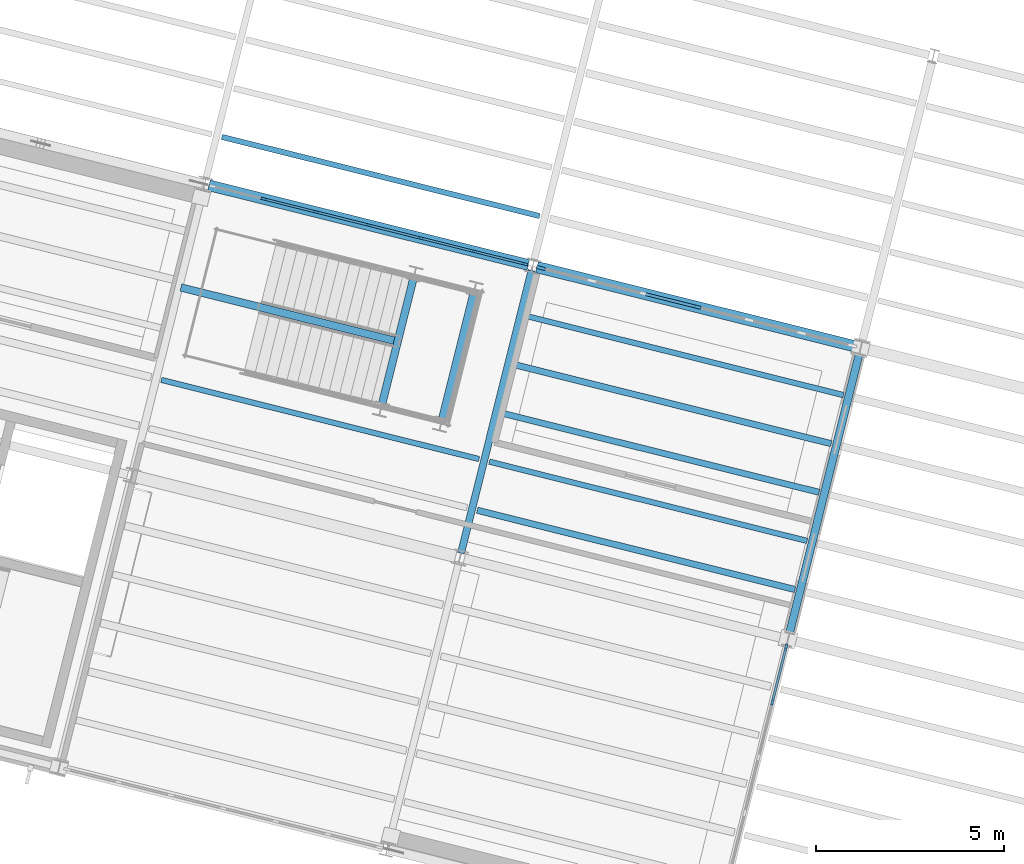
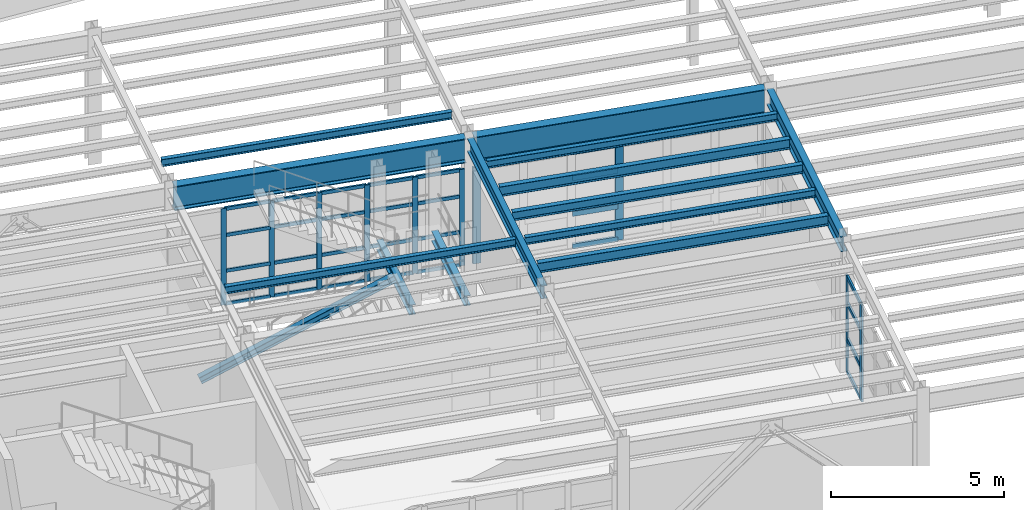
# One storey, part 34 of 109: 39 members, 13 beams, 3 elements without a shape of their own.
"""IFC4 building model written with IfcOpenShell, lengths in metres."""

from ifc_helpers import new_model, si_unit, direction, frame, origin, origin_2d, place, context, subcontext, project, spatial, rectangle, i_section, extrude, material, layer, layer_set, material_profile, profile_set, type_object, element, aggregate, save


model = new_model("IFC4")

# Units and contexts
model_context = context("Model", 3, precision=1e-05, world=origin(), true_north=direction((0.0, 1.0)))
body_context = subcontext(model_context, "Body", "Model", "MODEL_VIEW")
ifc_project = project(units=[si_unit("LENGTHUNIT", "METRE"), si_unit("AREAUNIT", "SQUARE_METRE"), si_unit("VOLUMEUNIT", "CUBIC_METRE"), si_unit("PLANEANGLEUNIT", "RADIAN"), si_unit("MASSUNIT", "GRAM", prefix="KILO")], contexts=[model_context])

# Site, building, storey
site_placement = place(None, origin())
site = spatial("IfcSite", under=ifc_project, at=site_placement, CompositionType="ELEMENT")
building_placement = place(site_placement, origin())
building = spatial("IfcBuilding", under=site, at=building_placement, Name="Vireo Bluff Cable Station", CompositionType="ELEMENT")
storey_placement = place(building_placement, frame((0.0, 0.0, 4.800048828125)))
storey = spatial("IfcBuildingStorey", under=building, at=storey_placement, Name="L01", CompositionType="ELEMENT", Elevation=4.800048828125)

# Beams
ifc_material_1 = material(Name="Steel ASTM A992 Gr. 50", Category="steel")
ifc_material_profile_1 = material_profile(ifc_material_1, i_section(OverallWidth=0.2041015625, OverallDepth=0.35009765625, WebThickness=0.008544921875, FlangeThickness=0.01513671875, FilletRadius=0.010009765625, at=origin_2d()), Name="W14X48")
ifc_profile_set_1 = profile_set([ifc_material_profile_1], Name="Steel ASTM A992 Gr. 50")
beam_type_1 = type_object("IfcBeamType", Name="BM-W14X48", PredefinedType="BEAM", material=ifc_profile_set_1)
for number, where, z_axis, x_axis, name in (
    (1, (71.326904296875, 45.49072265625, 2.02490234375), (0.24193442655, 0.970292601873, 0.0), (-0.970292601873, 0.24193442655, 0.0), "ST-10 L01 landing header beam N"),
    (2, (72.927734375, 45.091552734375, 2.02490234375), (0.24193442655, 0.970292601873, 0.0), (-0.970292601873, 0.24193442655, 0.0), "ST-10 L01 landing header beam F"),
):
    element("IfcBeam", number, at=place(storey_placement, frame(where, z_axis=z_axis, x_axis=x_axis)), inside=storey, type_object=beam_type_1, Name=name, PredefinedType="BEAM", context=body_context, shape_type="SweptSolid", body=[
        extrude(i_section(OverallWidth=0.2041015625, OverallDepth=0.35009765625, WebThickness=0.008544921875, FlangeThickness=0.01513671875, FilletRadius=0.010009765625, at=origin_2d()), origin(), (0.0, 0.0, 1.0), 3.440185546875),
    ])
ifc_material_profile_2 = material_profile(ifc_material_1, i_section(OverallWidth=0.19091796875, OverallDepth=0.45703125, WebThickness=0.009033203125, FlangeThickness=0.014404296875, FilletRadius=0.011962890625, at=origin_2d()), Name="W18X50")
ifc_profile_set_2 = profile_set([ifc_material_profile_2], Name="Steel ASTM A992 Gr. 50")
beam_type_2 = type_object("IfcBeamType", Name="BM-W18X50", PredefinedType="BEAM", material=ifc_profile_set_2)
beam_1_placement = place(storey_placement, frame((73.4296875, 41.524169921875, 4.3115234375), z_axis=(0.241935966891, 0.970292217801, 0.0), x_axis=(-0.970292217801, 0.241935966891, 0.0)))
element("IfcBeam", 3, at=beam_1_placement, inside=storey, type_object=beam_type_2, Name="V1 L01 beam 67", PredefinedType="BEAM", context=body_context, shape_type="SweptSolid", body=[
    extrude(i_section(OverallWidth=0.19091796875, OverallDepth=0.45703125, WebThickness=0.009033203125, FlangeThickness=0.014404296875, FilletRadius=0.011962890625, at=origin_2d()), origin(), (0.0, 0.0, 1.0), 7.760009765625),
])
ifc_material_profile_3 = material_profile(ifc_material_1, i_section(OverallWidth=0.2099609375, OverallDepth=0.535888671875, WebThickness=0.010986328125, FlangeThickness=0.017333984375, FilletRadius=0.012939453125, at=origin_2d()), Name="W21X68")
ifc_profile_set_3 = profile_set([ifc_material_profile_3], Name="Steel ASTM A992 Gr. 50")
beam_type_3 = type_object("IfcBeamType", Name="BM-W21X68", PredefinedType="BEAM", material=ifc_profile_set_3)
beam_2_placement = place(storey_placement, frame((82.162353515625, 39.346923828125, 4.27197265625), z_axis=(0.241935966891, 0.970292217801, 0.0), x_axis=(-0.970292217801, 0.241935966891, 0.0)))
element("IfcBeam", 4, at=beam_2_placement, inside=storey, type_object=beam_type_3, Name="V1 L01 beam 70", PredefinedType="BEAM", context=body_context, shape_type="SweptSolid", body=[
    extrude(i_section(OverallWidth=0.2099609375, OverallDepth=0.535888671875, WebThickness=0.010986328125, FlangeThickness=0.017333984375, FilletRadius=0.012939453125, at=origin_2d()), origin(), (0.0, 0.0, 1.0), 7.760009765625),
])

# Curtain wall, members
ifc_material_2 = material(Name="Anodized Aluminium 6063-T6", Category="aluminium")
ifc_layer_1 = layer(ifc_material_2, 0.179931640625, Name="Anodized Aluminium 6063-T6")
ifc_layer_set_1 = layer_set([ifc_layer_1], Name="Anodized Aluminium 6063-T6")
curtain_wall_type_1 = type_object("IfcCurtainWallType", Name="CW-UNIT-1650", PredefinedType="USERDEFINED", material=ifc_layer_set_1)
curtain_wall_1_placement = place(storey_placement, origin())
curtain_wall_1 = element("IfcCurtainWall", 5, at=curtain_wall_1_placement, inside=storey, type_object=curtain_wall_type_1, Name="V1 L01 east curtain wall CW-008", ObjectType="UNITISED CURTAIN WALL", PredefinedType="USERDEFINED")
ifc_material_profile_4 = material_profile(ifc_material_2, rectangle(XDim=0.06494140625, YDim=0.179931640625, at=origin_2d()), Name="ALU-M-65X180")
ifc_profile_set_4 = profile_set([ifc_material_profile_4], Name="Anodized Aluminium 6063-T6")
member_type_1 = type_object("IfcMemberType", Name="CWM-01", PredefinedType="MULLION", material=ifc_profile_set_4)
member_1_placement = place(storey_placement, frame((82.0810546875, 39.02099609375, 0.0), z_axis=(0.0, 0.0, 1.0), x_axis=(0.970295711882, -0.241921953331, 0.0)))
member_1 = element("IfcMember", 6, at=member_1_placement, type_object=member_type_1, Name="CW-008 mullion 1", PredefinedType="MULLION", context=body_context, shape_type="SweptSolid", body=[
    extrude(rectangle(XDim=0.06494140625, YDim=0.179931640625, at=origin_2d()), origin(), (0.0, 0.0, 1.0), 3.39990234375),
])
member_2_placement = place(storey_placement, frame((81.719482421875, 37.57080078125, 0.0), z_axis=(0.0, 0.0, 1.0), x_axis=(0.970295711882, -0.241921953331, 0.0)))
member_2 = element("IfcMember", 7, at=member_2_placement, type_object=member_type_1, Name="CW-008 mullion 2", PredefinedType="MULLION", context=body_context, shape_type="SweptSolid", body=[
    extrude(rectangle(XDim=0.06494140625, YDim=0.179931640625, at=origin_2d()), origin(), (0.0, 0.0, 1.0), 3.39990234375),
])

ifc_layer_2 = layer(ifc_material_2, 0.179931640625, Name="Anodized Aluminium 6063-T6")
ifc_layer_set_2 = layer_set([ifc_layer_2], Name="Anodized Aluminium 6063-T6")
curtain_wall_type_2 = type_object("IfcCurtainWallType", Name="CW-UNIT-1400", PredefinedType="USERDEFINED", material=ifc_layer_set_2)
curtain_wall_2_placement = place(storey_placement, origin())
curtain_wall_2 = element("IfcCurtainWall", 8, at=curtain_wall_2_placement, inside=storey, type_object=curtain_wall_type_2, Name="V1 L01 north curtain wall CW-006", ObjectType="UNITISED CURTAIN WALL", PredefinedType="USERDEFINED")
ifc_material_profile_5 = material_profile(ifc_material_2, rectangle(XDim=0.06005859375, YDim=0.159912109375, at=origin_2d()), Name="ALU-M-60X160")
ifc_profile_set_5 = profile_set([ifc_material_profile_5], Name="Anodized Aluminium 6063-T6")
member_type_2 = type_object("IfcMemberType", Name="CWM-03", PredefinedType="MULLION", material=ifc_profile_set_5)
member_3_placement = place(storey_placement, frame((68.179931640625, 50.954345703125, 0.0), z_axis=(0.0, 0.0, 1.0), x_axis=(0.241921864202, 0.970295734104, 0.0)))
member_3 = element("IfcMember", 9, at=member_3_placement, type_object=member_type_2, Name="CW-006 mullion 2", PredefinedType="MULLION", context=body_context, shape_type="SweptSolid", body=[
    extrude(rectangle(XDim=0.06005859375, YDim=0.159912109375, at=origin_2d()), origin(), (0.0, 0.0, 1.0), 3.39990234375),
])
member_4_placement = place(storey_placement, frame((69.57470703125, 50.606689453125, 0.0), z_axis=(0.0, 0.0, 1.0), x_axis=(0.241921864202, 0.970295734104, 0.0)))
member_4 = element("IfcMember", 10, at=member_4_placement, type_object=member_type_2, Name="CW-006 mullion 3", PredefinedType="MULLION", context=body_context, shape_type="SweptSolid", body=[
    extrude(rectangle(XDim=0.06005859375, YDim=0.159912109375, at=origin_2d()), origin(), (0.0, 0.0, 1.0), 3.39990234375),
])
member_5_placement = place(storey_placement, frame((70.9697265625, 50.2587890625, 0.0), z_axis=(0.0, 0.0, 1.0), x_axis=(0.241921864202, 0.970295734104, 0.0)))
member_5 = element("IfcMember", 11, at=member_5_placement, type_object=member_type_2, Name="CW-006 mullion 4", PredefinedType="MULLION", context=body_context, shape_type="SweptSolid", body=[
    extrude(rectangle(XDim=0.06005859375, YDim=0.159912109375, at=origin_2d()), origin(), (0.0, 0.0, 1.0), 3.39990234375),
])
member_6_placement = place(storey_placement, frame((72.36474609375, 49.910888671875, 0.0), z_axis=(0.0, 0.0, 1.0), x_axis=(0.241921864202, 0.970295734104, 0.0)))
member_6 = element("IfcMember", 12, at=member_6_placement, type_object=member_type_2, Name="CW-006 mullion 5", PredefinedType="MULLION", context=body_context, shape_type="SweptSolid", body=[
    extrude(rectangle(XDim=0.06005859375, YDim=0.159912109375, at=origin_2d()), origin(), (0.0, 0.0, 1.0), 3.39990234375),
])
member_7_placement = place(storey_placement, frame((73.759765625, 49.563232421875, 0.0), z_axis=(0.0, 0.0, 1.0), x_axis=(0.241921864202, 0.970295734104, 0.0)))
member_7 = element("IfcMember", 13, at=member_7_placement, type_object=member_type_2, Name="CW-006 mullion 6", PredefinedType="MULLION", context=body_context, shape_type="SweptSolid", body=[
    extrude(rectangle(XDim=0.06005859375, YDim=0.159912109375, at=origin_2d()), origin(), (0.0, 0.0, 1.0), 3.39990234375),
])
member_8_placement = place(storey_placement, frame((75.12548828125, 49.22265625, 0.0), z_axis=(0.0, 0.0, 1.0), x_axis=(0.241921864202, 0.970295734104, 0.0)))
member_8 = element("IfcMember", 14, at=member_8_placement, type_object=member_type_2, Name="CW-006 mullion 7", PredefinedType="MULLION", context=body_context, shape_type="SweptSolid", body=[
    extrude(rectangle(XDim=0.06005859375, YDim=0.159912109375, at=origin_2d()), origin(), (0.0, 0.0, 1.0), 3.39990234375),
])

ifc_layer_3 = layer(ifc_material_2, 0.179931640625, Name="Anodized Aluminium 6063-T6")
ifc_layer_set_3 = layer_set([ifc_layer_3], Name="Anodized Aluminium 6063-T6")
curtain_wall_type_3 = type_object("IfcCurtainWallType", Name="CW-UNIT-1500", PredefinedType="USERDEFINED", material=ifc_layer_set_3)
curtain_wall_3_placement = place(storey_placement, origin())
curtain_wall_3 = element("IfcCurtainWall", 15, at=curtain_wall_3_placement, inside=storey, type_object=curtain_wall_type_3, Name="V1 L01 north curtain wall CW-007", ObjectType="UNITISED CURTAIN WALL", PredefinedType="USERDEFINED")
ifc_material_profile_6 = material_profile(ifc_material_2, rectangle(XDim=0.080078125, YDim=0.239990234375, at=origin_2d()), Name="ALU-M-80X240")
ifc_profile_set_6 = profile_set([ifc_material_profile_6], Name="Anodized Aluminium 6063-T6")
member_type_3 = type_object("IfcMemberType", Name="CWM-04", PredefinedType="MULLION", material=ifc_profile_set_6)
member_9_placement = place(storey_placement, frame((75.556396484375, 49.115234375, 0.0), z_axis=(0.0, 0.0, 1.0), x_axis=(0.241921864202, 0.970295734104, 0.0)))
member_9 = element("IfcMember", 16, at=member_9_placement, type_object=member_type_3, Name="CW-007 mullion 1", PredefinedType="MULLION", context=body_context, shape_type="SweptSolid", body=[
    extrude(rectangle(XDim=0.080078125, YDim=0.239990234375, at=origin_2d()), origin(), (0.0, 0.0, 1.0), 3.39990234375),
])
member_10_placement = place(storey_placement, frame((79.702392578125, 48.08154296875, 0.0), z_axis=(0.0, 0.0, 1.0), x_axis=(0.241921864202, 0.970295734104, 0.0)))
member_10 = element("IfcMember", 17, at=member_10_placement, type_object=member_type_3, Name="CW-007 mullion 4", PredefinedType="MULLION", context=body_context, shape_type="SweptSolid", body=[
    extrude(rectangle(XDim=0.080078125, YDim=0.239990234375, at=origin_2d()), origin(), (0.0, 0.0, 1.0), 3.39990234375),
])

# Member
ifc_material_profile_7 = material_profile(ifc_material_2, rectangle(XDim=0.06494140625, YDim=0.139892578125, at=origin_2d()), Name="ALU-T-65X140")
ifc_profile_set_7 = profile_set([ifc_material_profile_7], Name="Anodized Aluminium 6063-T6")
member_type_4 = type_object("IfcMemberType", Name="CWT-01", PredefinedType="USERDEFINED", material=ifc_profile_set_7)
member_11_placement = place(storey_placement, frame((82.0732421875, 38.9892578125, 0.032470703125), z_axis=(-0.241852366121, -0.970313059276, 0.0), x_axis=(0.970313059276, -0.241852366121, 0.0)))
member_11 = element("IfcMember", 18, at=member_11_placement, type_object=member_type_4, Name="CW-008 transom 1.1", ObjectType="TRANSOM", PredefinedType="USERDEFINED", context=body_context, shape_type="SweptSolid", body=[
    extrude(rectangle(XDim=0.06494140625, YDim=0.139892578125, at=origin_2d()), origin(), (0.0, 0.0, 1.0), 1.429443359375),
])

member_12_placement = place(storey_placement, frame((82.0732421875, 38.9892578125, 1.18994140625), z_axis=(-0.241852366121, -0.970313059276, 0.0), x_axis=(0.970313059276, -0.241852366121, 0.0)))
member_12 = element("IfcMember", 19, at=member_12_placement, type_object=member_type_4, Name="CW-008 transom 1.2", ObjectType="TRANSOM", PredefinedType="USERDEFINED", context=body_context, shape_type="SweptSolid", body=[
    extrude(rectangle(XDim=0.06494140625, YDim=0.139892578125, at=origin_2d()), origin(), (0.0, 0.0, 1.0), 1.429443359375),
])

member_13_placement = place(storey_placement, frame((82.0732421875, 38.9892578125, 2.447998046875), z_axis=(-0.241852366121, -0.970313059276, 0.0), x_axis=(0.970313059276, -0.241852366121, 0.0)))
member_13 = element("IfcMember", 20, at=member_13_placement, type_object=member_type_4, Name="CW-008 transom 1.3", ObjectType="TRANSOM", PredefinedType="USERDEFINED", context=body_context, shape_type="SweptSolid", body=[
    extrude(rectangle(XDim=0.06494140625, YDim=0.139892578125, at=origin_2d()), origin(), (0.0, 0.0, 1.0), 1.429443359375),
])

member_14_placement = place(storey_placement, frame((82.0732421875, 38.9892578125, 3.367431640625), z_axis=(-0.241852366121, -0.970313059276, 0.0), x_axis=(0.970313059276, -0.241852366121, 0.0)))
member_14 = element("IfcMember", 21, at=member_14_placement, type_object=member_type_4, Name="CW-008 transom 1.4", ObjectType="TRANSOM", PredefinedType="USERDEFINED", context=body_context, shape_type="SweptSolid", body=[
    extrude(rectangle(XDim=0.06494140625, YDim=0.139892578125, at=origin_2d()), origin(), (0.0, 0.0, 1.0), 1.429443359375),
])

aggregate(curtain_wall_1, [member_1, member_2, member_11, member_12, member_13, member_14])

ifc_material_profile_8 = material_profile(ifc_material_2, rectangle(XDim=0.06005859375, YDim=0.1201171875, at=origin_2d()), Name="ALU-T-60X120")
ifc_profile_set_8 = profile_set([ifc_material_profile_8], Name="Anodized Aluminium 6063-T6")
member_type_5 = type_object("IfcMemberType", Name="CWT-03", PredefinedType="USERDEFINED", material=ifc_profile_set_8)
member_15_placement = place(storey_placement, frame((68.208984375, 50.947021484375, 0.030029296875), z_axis=(0.970298672181, -0.241910079914, 0.0), x_axis=(0.241910079914, 0.970298672181, 0.0)))
member_15 = element("IfcMember", 22, at=member_15_placement, type_object=member_type_5, Name="CW-006 transom 2.1", ObjectType="TRANSOM", PredefinedType="USERDEFINED", context=body_context, shape_type="SweptSolid", body=[
    extrude(rectangle(XDim=0.06005859375, YDim=0.1201171875, at=origin_2d()), origin(), (0.0, 0.0, 1.0), 1.377685546875),
])

member_16_placement = place(storey_placement, frame((68.208984375, 50.947021484375, 1.18994140625), z_axis=(0.970298672181, -0.241910079914, 0.0), x_axis=(0.241910079914, 0.970298672181, 0.0)))
member_16 = element("IfcMember", 23, at=member_16_placement, type_object=member_type_5, Name="CW-006 transom 2.2", ObjectType="TRANSOM", PredefinedType="USERDEFINED", context=body_context, shape_type="SweptSolid", body=[
    extrude(rectangle(XDim=0.06005859375, YDim=0.1201171875, at=origin_2d()), origin(), (0.0, 0.0, 1.0), 1.377685546875),
])

member_17_placement = place(storey_placement, frame((68.208984375, 50.947021484375, 2.447998046875), z_axis=(0.970298672181, -0.241910079914, 0.0), x_axis=(0.241910079914, 0.970298672181, 0.0)))
member_17 = element("IfcMember", 24, at=member_17_placement, type_object=member_type_5, Name="CW-006 transom 2.3", ObjectType="TRANSOM", PredefinedType="USERDEFINED", context=body_context, shape_type="SweptSolid", body=[
    extrude(rectangle(XDim=0.06005859375, YDim=0.1201171875, at=origin_2d()), origin(), (0.0, 0.0, 1.0), 1.377685546875),
])

member_18_placement = place(storey_placement, frame((68.208984375, 50.947021484375, 3.369873046875), z_axis=(0.970298672181, -0.241910079914, 0.0), x_axis=(0.241910079914, 0.970298672181, 0.0)))
member_18 = element("IfcMember", 25, at=member_18_placement, type_object=member_type_5, Name="CW-006 transom 2.4", ObjectType="TRANSOM", PredefinedType="USERDEFINED", context=body_context, shape_type="SweptSolid", body=[
    extrude(rectangle(XDim=0.06005859375, YDim=0.1201171875, at=origin_2d()), origin(), (0.0, 0.0, 1.0), 1.377685546875),
])

member_19_placement = place(storey_placement, frame((69.60400390625, 50.599365234375, 0.030029296875), z_axis=(0.970298672181, -0.241910079914, 0.0), x_axis=(0.241910079914, 0.970298672181, 0.0)))
member_19 = element("IfcMember", 26, at=member_19_placement, type_object=member_type_5, Name="CW-006 transom 3.1", ObjectType="TRANSOM", PredefinedType="USERDEFINED", context=body_context, shape_type="SweptSolid", body=[
    extrude(rectangle(XDim=0.06005859375, YDim=0.1201171875, at=origin_2d()), origin(), (0.0, 0.0, 1.0), 1.377685546875),
])

member_20_placement = place(storey_placement, frame((69.60400390625, 50.599365234375, 1.18994140625), z_axis=(0.970298672181, -0.241910079914, 0.0), x_axis=(0.241910079914, 0.970298672181, 0.0)))
member_20 = element("IfcMember", 27, at=member_20_placement, type_object=member_type_5, Name="CW-006 transom 3.2", ObjectType="TRANSOM", PredefinedType="USERDEFINED", context=body_context, shape_type="SweptSolid", body=[
    extrude(rectangle(XDim=0.06005859375, YDim=0.1201171875, at=origin_2d()), origin(), (0.0, 0.0, 1.0), 1.377685546875),
])

member_21_placement = place(storey_placement, frame((69.60400390625, 50.599365234375, 2.447998046875), z_axis=(0.970298672181, -0.241910079914, 0.0), x_axis=(0.241910079914, 0.970298672181, 0.0)))
member_21 = element("IfcMember", 28, at=member_21_placement, type_object=member_type_5, Name="CW-006 transom 3.3", ObjectType="TRANSOM", PredefinedType="USERDEFINED", context=body_context, shape_type="SweptSolid", body=[
    extrude(rectangle(XDim=0.06005859375, YDim=0.1201171875, at=origin_2d()), origin(), (0.0, 0.0, 1.0), 1.377685546875),
])

member_22_placement = place(storey_placement, frame((69.60400390625, 50.599365234375, 3.369873046875), z_axis=(0.970298672181, -0.241910079914, 0.0), x_axis=(0.241910079914, 0.970298672181, 0.0)))
member_22 = element("IfcMember", 29, at=member_22_placement, type_object=member_type_5, Name="CW-006 transom 3.4", ObjectType="TRANSOM", PredefinedType="USERDEFINED", context=body_context, shape_type="SweptSolid", body=[
    extrude(rectangle(XDim=0.06005859375, YDim=0.1201171875, at=origin_2d()), origin(), (0.0, 0.0, 1.0), 1.377685546875),
])

member_23_placement = place(storey_placement, frame((70.998779296875, 50.25146484375, 0.030029296875), z_axis=(0.970309040712, -0.241868488052, 0.0), x_axis=(0.241868488052, 0.970309040712, 0.0)))
member_23 = element("IfcMember", 30, at=member_23_placement, type_object=member_type_5, Name="CW-006 transom 4.1", ObjectType="TRANSOM", PredefinedType="USERDEFINED", context=body_context, shape_type="SweptSolid", body=[
    extrude(rectangle(XDim=0.06005859375, YDim=0.1201171875, at=origin_2d()), origin(), (0.0, 0.0, 1.0), 1.3779296875),
])

member_24_placement = place(storey_placement, frame((70.998779296875, 50.25146484375, 1.18994140625), z_axis=(0.970309040712, -0.241868488052, 0.0), x_axis=(0.241868488052, 0.970309040712, 0.0)))
member_24 = element("IfcMember", 31, at=member_24_placement, type_object=member_type_5, Name="CW-006 transom 4.2", ObjectType="TRANSOM", PredefinedType="USERDEFINED", context=body_context, shape_type="SweptSolid", body=[
    extrude(rectangle(XDim=0.06005859375, YDim=0.1201171875, at=origin_2d()), origin(), (0.0, 0.0, 1.0), 1.3779296875),
])

member_25_placement = place(storey_placement, frame((70.998779296875, 50.25146484375, 2.447998046875), z_axis=(0.970309040712, -0.241868488052, 0.0), x_axis=(0.241868488052, 0.970309040712, 0.0)))
member_25 = element("IfcMember", 32, at=member_25_placement, type_object=member_type_5, Name="CW-006 transom 4.3", ObjectType="TRANSOM", PredefinedType="USERDEFINED", context=body_context, shape_type="SweptSolid", body=[
    extrude(rectangle(XDim=0.06005859375, YDim=0.1201171875, at=origin_2d()), origin(), (0.0, 0.0, 1.0), 1.3779296875),
])

member_26_placement = place(storey_placement, frame((70.998779296875, 50.25146484375, 3.369873046875), z_axis=(0.970309040712, -0.241868488052, 0.0), x_axis=(0.241868488052, 0.970309040712, 0.0)))
member_26 = element("IfcMember", 33, at=member_26_placement, type_object=member_type_5, Name="CW-006 transom 4.4", ObjectType="TRANSOM", PredefinedType="USERDEFINED", context=body_context, shape_type="SweptSolid", body=[
    extrude(rectangle(XDim=0.06005859375, YDim=0.1201171875, at=origin_2d()), origin(), (0.0, 0.0, 1.0), 1.3779296875),
])

member_27_placement = place(storey_placement, frame((72.393798828125, 49.90380859375, 0.030029296875), z_axis=(0.970298672181, -0.241910079914, 0.0), x_axis=(0.241910079914, 0.970298672181, 0.0)))
member_27 = element("IfcMember", 34, at=member_27_placement, type_object=member_type_5, Name="CW-006 transom 5.1", ObjectType="TRANSOM", PredefinedType="USERDEFINED", context=body_context, shape_type="SweptSolid", body=[
    extrude(rectangle(XDim=0.06005859375, YDim=0.1201171875, at=origin_2d()), origin(), (0.0, 0.0, 1.0), 1.377685546875),
])

member_28_placement = place(storey_placement, frame((72.393798828125, 49.90380859375, 1.18994140625), z_axis=(0.970298672181, -0.241910079914, 0.0), x_axis=(0.241910079914, 0.970298672181, 0.0)))
member_28 = element("IfcMember", 35, at=member_28_placement, type_object=member_type_5, Name="CW-006 transom 5.2", ObjectType="TRANSOM", PredefinedType="USERDEFINED", context=body_context, shape_type="SweptSolid", body=[
    extrude(rectangle(XDim=0.06005859375, YDim=0.1201171875, at=origin_2d()), origin(), (0.0, 0.0, 1.0), 1.377685546875),
])

member_29_placement = place(storey_placement, frame((72.393798828125, 49.90380859375, 2.447998046875), z_axis=(0.970298672181, -0.241910079914, 0.0), x_axis=(0.241910079914, 0.970298672181, 0.0)))
member_29 = element("IfcMember", 36, at=member_29_placement, type_object=member_type_5, Name="CW-006 transom 5.3", ObjectType="TRANSOM", PredefinedType="USERDEFINED", context=body_context, shape_type="SweptSolid", body=[
    extrude(rectangle(XDim=0.06005859375, YDim=0.1201171875, at=origin_2d()), origin(), (0.0, 0.0, 1.0), 1.377685546875),
])

member_30_placement = place(storey_placement, frame((72.393798828125, 49.90380859375, 3.369873046875), z_axis=(0.970298672181, -0.241910079914, 0.0), x_axis=(0.241910079914, 0.970298672181, 0.0)))
member_30 = element("IfcMember", 37, at=member_30_placement, type_object=member_type_5, Name="CW-006 transom 5.4", ObjectType="TRANSOM", PredefinedType="USERDEFINED", context=body_context, shape_type="SweptSolid", body=[
    extrude(rectangle(XDim=0.06005859375, YDim=0.1201171875, at=origin_2d()), origin(), (0.0, 0.0, 1.0), 1.377685546875),
])

member_31_placement = place(storey_placement, frame((73.788818359375, 49.555908203125, 0.030029296875), z_axis=(0.970312767416, -0.241853537061, 0.0), x_axis=(0.241853537061, 0.970312767416, 0.0)))
member_31 = element("IfcMember", 38, at=member_31_placement, type_object=member_type_5, Name="CW-006 transom 6.1", ObjectType="TRANSOM", PredefinedType="USERDEFINED", context=body_context, shape_type="SweptSolid", body=[
    extrude(rectangle(XDim=0.06005859375, YDim=0.1201171875, at=origin_2d()), origin(), (0.0, 0.0, 1.0), 1.34765625),
])

member_32_placement = place(storey_placement, frame((73.788818359375, 49.555908203125, 1.18994140625), z_axis=(0.970312767416, -0.241853537061, 0.0), x_axis=(0.241853537061, 0.970312767416, 0.0)))
member_32 = element("IfcMember", 39, at=member_32_placement, type_object=member_type_5, Name="CW-006 transom 6.2", ObjectType="TRANSOM", PredefinedType="USERDEFINED", context=body_context, shape_type="SweptSolid", body=[
    extrude(rectangle(XDim=0.06005859375, YDim=0.1201171875, at=origin_2d()), origin(), (0.0, 0.0, 1.0), 1.34765625),
])

member_33_placement = place(storey_placement, frame((73.788818359375, 49.555908203125, 2.447998046875), z_axis=(0.970312767416, -0.241853537061, 0.0), x_axis=(0.241853537061, 0.970312767416, 0.0)))
member_33 = element("IfcMember", 40, at=member_33_placement, type_object=member_type_5, Name="CW-006 transom 6.3", ObjectType="TRANSOM", PredefinedType="USERDEFINED", context=body_context, shape_type="SweptSolid", body=[
    extrude(rectangle(XDim=0.06005859375, YDim=0.1201171875, at=origin_2d()), origin(), (0.0, 0.0, 1.0), 1.34765625),
])

member_34_placement = place(storey_placement, frame((73.788818359375, 49.555908203125, 3.369873046875), z_axis=(0.970312767416, -0.241853537061, 0.0), x_axis=(0.241853537061, 0.970312767416, 0.0)))
member_34 = element("IfcMember", 41, at=member_34_placement, type_object=member_type_5, Name="CW-006 transom 6.4", ObjectType="TRANSOM", PredefinedType="USERDEFINED", context=body_context, shape_type="SweptSolid", body=[
    extrude(rectangle(XDim=0.06005859375, YDim=0.1201171875, at=origin_2d()), origin(), (0.0, 0.0, 1.0), 1.34765625),
])

aggregate(curtain_wall_2, [member_3, member_4, member_5, member_6, member_7, member_8, member_15, member_16, member_17, member_18, member_19, member_20, member_21, member_22, member_23, member_24, member_25, member_26, member_27, member_28, member_29, member_30, member_31, member_32, member_33, member_34])

ifc_material_profile_9 = material_profile(ifc_material_2, rectangle(XDim=0.080078125, YDim=0.175048828125, at=origin_2d()), Name="ALU-T-80X175")
ifc_profile_set_9 = profile_set([ifc_material_profile_9], Name="Anodized Aluminium 6063-T6")
member_type_6 = type_object("IfcMemberType", Name="CWT-04", PredefinedType="USERDEFINED", material=ifc_profile_set_9)
member_35_placement = place(storey_placement, frame((78.34619140625, 48.419677734375, 0.0400390625), z_axis=(0.970269293903, -0.242027885395, 0.0), x_axis=(0.242027885395, 0.970269293903, 0.0)))
member_35 = element("IfcMember", 42, at=member_35_placement, type_object=member_type_6, Name="CW-007 transom 3.1", ObjectType="TRANSOM", PredefinedType="USERDEFINED", context=body_context, shape_type="SweptSolid", body=[
    extrude(rectangle(XDim=0.080078125, YDim=0.175048828125, at=origin_2d()), origin(), (0.0, 0.0, 1.0), 1.357666015625),
])

member_36_placement = place(storey_placement, frame((78.34619140625, 48.419677734375, 1.18994140625), z_axis=(0.970269293903, -0.242027885395, 0.0), x_axis=(0.242027885395, 0.970269293903, 0.0)))
member_36 = element("IfcMember", 43, at=member_36_placement, type_object=member_type_6, Name="CW-007 transom 3.2", ObjectType="TRANSOM", PredefinedType="USERDEFINED", context=body_context, shape_type="SweptSolid", body=[
    extrude(rectangle(XDim=0.080078125, YDim=0.175048828125, at=origin_2d()), origin(), (0.0, 0.0, 1.0), 1.357666015625),
])

member_37_placement = place(storey_placement, frame((78.34619140625, 48.419677734375, 2.447998046875), z_axis=(0.970269293903, -0.242027885395, 0.0), x_axis=(0.242027885395, 0.970269293903, 0.0)))
member_37 = element("IfcMember", 44, at=member_37_placement, type_object=member_type_6, Name="CW-007 transom 3.3", ObjectType="TRANSOM", PredefinedType="USERDEFINED", context=body_context, shape_type="SweptSolid", body=[
    extrude(rectangle(XDim=0.080078125, YDim=0.175048828125, at=origin_2d()), origin(), (0.0, 0.0, 1.0), 1.357666015625),
])

member_38_placement = place(storey_placement, frame((78.34619140625, 48.419677734375, 3.35986328125), z_axis=(0.970269293903, -0.242027885395, 0.0), x_axis=(0.242027885395, 0.970269293903, 0.0)))
member_38 = element("IfcMember", 45, at=member_38_placement, type_object=member_type_6, Name="CW-007 transom 3.4", ObjectType="TRANSOM", PredefinedType="USERDEFINED", context=body_context, shape_type="SweptSolid", body=[
    extrude(rectangle(XDim=0.080078125, YDim=0.175048828125, at=origin_2d()), origin(), (0.0, 0.0, 1.0), 1.357666015625),
])

aggregate(curtain_wall_3, [member_9, member_10, member_35, member_36, member_37, member_38])

# Beams
ifc_material_profile_10 = material_profile(ifc_material_1, i_section(OverallWidth=0.2919921875, OverallDepth=0.85888671875, WebThickness=0.01708984375, FlangeThickness=0.031005859375, FilletRadius=0.01806640625, at=origin_2d()), Name="W33X169")
ifc_profile_set_10 = profile_set([ifc_material_profile_10], Name="Steel ASTM A992 Gr. 50")
beam_type_4 = type_object("IfcBeamType", Name="GIR-W33X169", PredefinedType="USERDEFINED", material=ifc_profile_set_10)
beam_3_placement = place(storey_placement, frame((66.7197265625, 51.318359375, 4.1103515625), z_axis=(0.970299675821, -0.241906054289, 0.0), x_axis=(0.241906054289, 0.970299675821, 0.0)))
element("IfcBeam", 46, at=beam_3_placement, inside=storey, type_object=beam_type_4, Name="V1 L01 girder 51", ObjectType="GIRDER", PredefinedType="USERDEFINED", context=body_context, shape_type="SweptSolid", body=[
    extrude(i_section(OverallWidth=0.2919921875, OverallDepth=0.85888671875, WebThickness=0.01708984375, FlangeThickness=0.031005859375, FilletRadius=0.01806640625, at=origin_2d()), origin(), (0.0, 0.0, 1.0), 8.76025390625),
])
ifc_material_profile_11 = material_profile(ifc_material_1, i_section(OverallWidth=0.303955078125, OverallDepth=0.912109375, WebThickness=0.015869140625, FlangeThickness=0.02392578125, FilletRadius=0.02001953125, at=origin_2d()), Name="W36X150")
ifc_profile_set_11 = profile_set([ifc_material_profile_11], Name="Steel ASTM A992 Gr. 50")
beam_type_5 = type_object("IfcBeamType", Name="GIR-W36X150", PredefinedType="USERDEFINED", material=ifc_profile_set_11)
beam_4_placement = place(storey_placement, frame((75.452392578125, 49.14111328125, 4.083984375), z_axis=(0.970299675821, -0.241906054289, 0.0), x_axis=(0.241906054289, 0.970299675821, 0.0)))
element("IfcBeam", 47, at=beam_4_placement, inside=storey, type_object=beam_type_5, Name="V1 L01 girder 52", ObjectType="GIRDER", PredefinedType="USERDEFINED", context=body_context, shape_type="SweptSolid", body=[
    extrude(i_section(OverallWidth=0.303955078125, OverallDepth=0.912109375, WebThickness=0.015869140625, FlangeThickness=0.02392578125, FilletRadius=0.02001953125, at=origin_2d()), origin(), (0.0, 0.0, 1.0), 8.76025390625),
])
ifc_material_profile_12 = material_profile(ifc_material_1, i_section(OverallWidth=0.14599609375, OverallDepth=0.259033203125, WebThickness=0.006103515625, FlangeThickness=0.009033203125, FilletRadius=0.009033203125, at=origin_2d()), Name="W10X22")
ifc_profile_set_12 = profile_set([ifc_material_profile_12], Name="Steel ASTM A992 Gr. 50")
beam_type_6 = type_object("IfcBeamType", Name="JST-W10X22", PredefinedType="JOIST", material=ifc_profile_set_12)
for number, where, z_axis, x_axis, name in (
    (48, (65.448974609375, 46.138671875, 4.410400390625), (0.970293828661, -0.24192950639, 0.0), (0.24192950639, 0.970293828661, 0.0), "V1 L01 composite joist 94"),
    (49, (67.061767578125, 52.607177734375, 4.410400390625), (0.970300400641, -0.241903146974, 0.0), (0.241903146974, 0.970300400641, 0.0), "V1 L01 composite joist 95"),
    (50, (74.181640625, 43.96142578125, 4.410400390625), (0.970293828661, -0.24192950639, 0.0), (0.24192950639, 0.970293828661, 0.0), "V1 L01 composite joist 106"),
    (51, (75.1494140625, 47.842529296875, 4.410400390625), (0.970293828661, -0.24192950639, 0.0), (0.24192950639, 0.970293828661, 0.0), "V1 L01 composite joist 109"),
):
    element("IfcBeam", number, at=place(storey_placement, frame(where, z_axis=z_axis, x_axis=x_axis)), inside=storey, type_object=beam_type_6, Name=name, PredefinedType="JOIST", context=body_context, shape_type="SweptSolid", body=[
        extrude(i_section(OverallWidth=0.14599609375, OverallDepth=0.259033203125, WebThickness=0.006103515625, FlangeThickness=0.009033203125, FilletRadius=0.009033203125, at=origin_2d()), origin(), (0.0, 0.0, 1.0), 8.719970703125),
    ])
ifc_material_profile_13 = material_profile(ifc_material_1, i_section(OverallWidth=0.1650390625, OverallDepth=0.31005859375, WebThickness=0.005859375, FlangeThickness=0.009765625, FilletRadius=0.010009765625, at=origin_2d()), Name="W12X26")
ifc_profile_set_13 = profile_set([ifc_material_profile_13], Name="Steel ASTM A992 Gr. 50")
beam_type_7 = type_object("IfcBeamType", Name="JST-W12X26", PredefinedType="JOIST", material=ifc_profile_set_13)
beam_5_placement = place(storey_placement, frame((74.504150390625, 45.255126953125, 4.385009765625), z_axis=(0.970293828661, -0.24192950639, 0.0), x_axis=(0.24192950639, 0.970293828661, 0.0)))
element("IfcBeam", 52, at=beam_5_placement, inside=storey, type_object=beam_type_7, Name="V1 L01 composite joist 107", PredefinedType="JOIST", context=body_context, shape_type="SweptSolid", body=[
    extrude(i_section(OverallWidth=0.1650390625, OverallDepth=0.31005859375, WebThickness=0.005859375, FlangeThickness=0.009765625, FilletRadius=0.010009765625, at=origin_2d()), origin(), (0.0, 0.0, 1.0), 8.719970703125),
])
ifc_material_profile_14 = material_profile(ifc_material_1, i_section(OverallWidth=0.1708984375, OverallDepth=0.35107421875, WebThickness=0.0068359375, FlangeThickness=0.009765625, FilletRadius=0.010009765625, at=origin_2d()), Name="W14X30")
ifc_profile_set_14 = profile_set([ifc_material_profile_14], Name="Steel ASTM A992 Gr. 50")
beam_type_8 = type_object("IfcBeamType", Name="JST-W14X30", PredefinedType="JOIST", material=ifc_profile_set_14)
for number, where, z_axis, x_axis, name in (
    (53, (73.859130859375, 42.667724609375, 4.364501953125), (0.970293828661, -0.24192950639, 0.0), (0.24192950639, 0.970293828661, 0.0), "V1 L01 composite joist 105"),
    (54, (74.826904296875, 46.548828125, 4.364501953125), (0.970293828661, -0.24192950639, 0.0), (0.24192950639, 0.970293828661, 0.0), "V1 L01 composite joist 108"),
):
    element("IfcBeam", number, at=place(storey_placement, frame(where, z_axis=z_axis, x_axis=x_axis)), inside=storey, type_object=beam_type_8, Name=name, PredefinedType="JOIST", context=body_context, shape_type="SweptSolid", body=[
        extrude(i_section(OverallWidth=0.1708984375, OverallDepth=0.35107421875, WebThickness=0.0068359375, FlangeThickness=0.009765625, FilletRadius=0.010009765625, at=origin_2d()), origin(), (0.0, 0.0, 1.0), 8.719970703125),
    ])

# Member
ifc_material_profile_15 = material_profile(ifc_material_1, i_section(OverallWidth=0.201904296875, OverallDepth=0.2470703125, WebThickness=0.00732421875, FlangeThickness=0.010986328125, FilletRadius=0.009033203125, at=origin_2d()), Name="W10X33")
ifc_profile_set_15 = profile_set([ifc_material_profile_15], Name="Steel ASTM A992 Gr. 50")
member_type_7 = type_object("IfcMemberType", Name="STRINGER-01", PredefinedType="STRINGER", material=ifc_profile_set_15)
member_39_placement = place(storey_placement, frame((66.018310546875, 48.5869140625, -0.43994140625), z_axis=(0.894166625241, -0.222916674261, 0.388296539569), x_axis=(0.241897269349, 0.970301865958, 0.0)))
element("IfcMember", 55, at=member_39_placement, inside=storey, type_object=member_type_7, Name="ST-10 L01 steel stair stringer", PredefinedType="STRINGER", context=body_context, shape_type="SweptSolid", body=[
    extrude(i_section(OverallWidth=0.201904296875, OverallDepth=0.2470703125, WebThickness=0.00732421875, FlangeThickness=0.010986328125, FilletRadius=0.009033203125, at=origin_2d()), origin(), (0.0, 0.0, 1.0), 6.347900390625),
])

save(model, "model.ifc")
